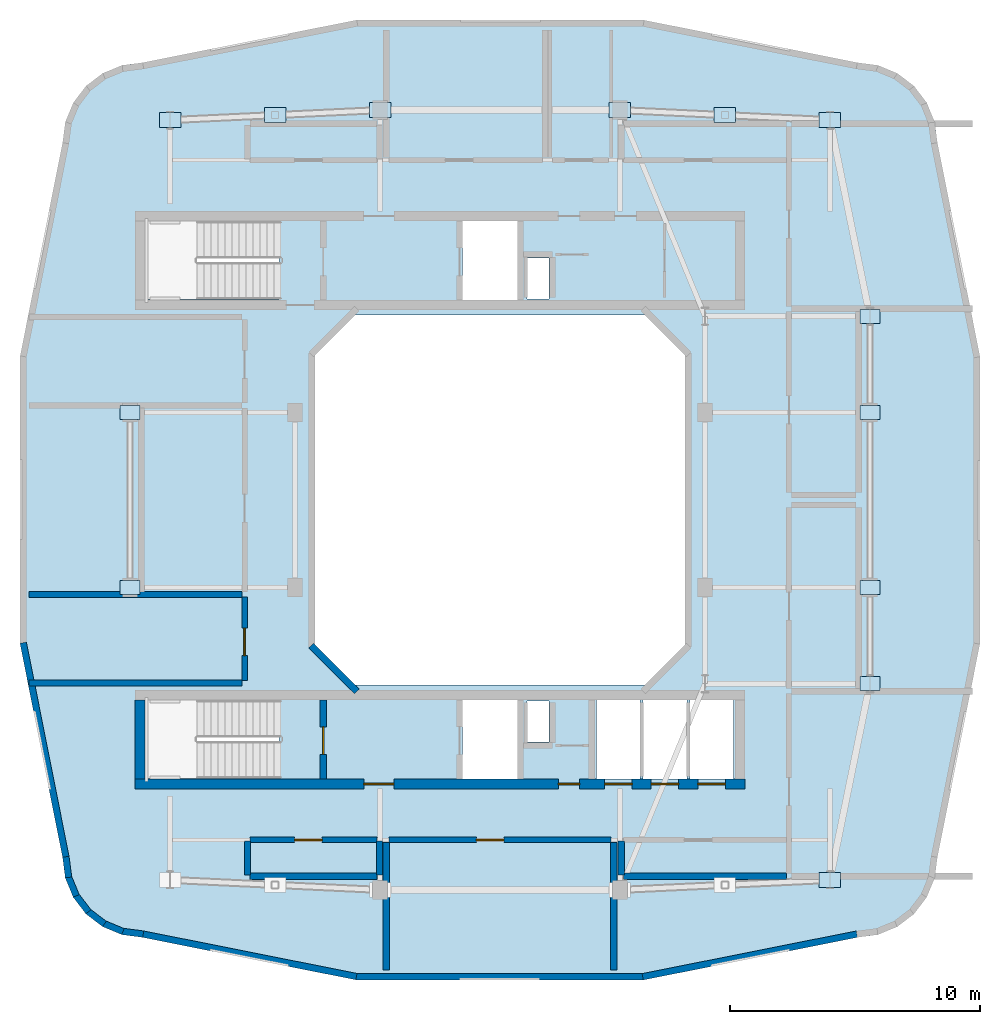
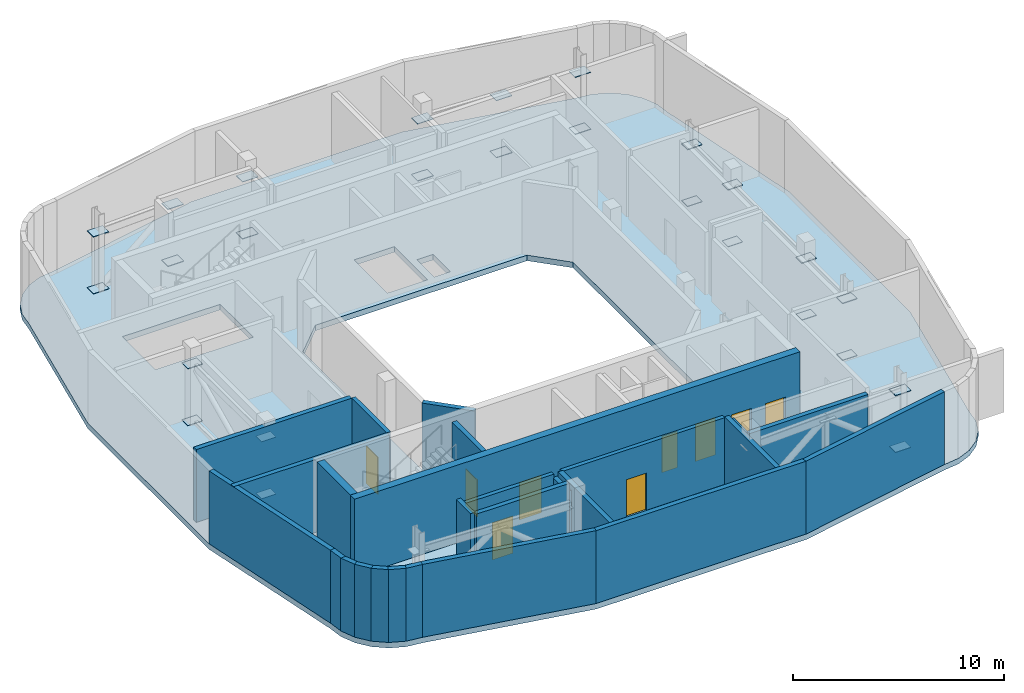
# One storey, part 3 of 9: 26 plates, 26 walls, 9 doors, 1 slab, 9 openings.
"""IFC4 building model written with IfcOpenShell, lengths in metres."""

from ifc_helpers import new_model, si_unit, derived_unit, direction, frame, frame_2d, origin, origin_2d, place, context, subcontext, project, spatial, polyline, rectangle, outline, extrude, material, layer, layer_set, type_object, element, fill, save


model = new_model("IFC4")

# Units and contexts
model_context = context("Model", 3, precision=1e-05, world=origin(), true_north=direction((0.0, 1.0)))
body_context = subcontext(model_context, "Body", "Model", "MODEL_VIEW")
ifc_project = project(units=[si_unit("LENGTHUNIT", "METRE"), si_unit("AREAUNIT", "SQUARE_METRE"), si_unit("VOLUMEUNIT", "CUBIC_METRE"), si_unit("PLANEANGLEUNIT", "RADIAN"), si_unit("MASSUNIT", "GRAM", prefix="KILO"), derived_unit("THERMALTRANSMITTANCEUNIT", [(si_unit("POWERUNIT", "WATT"), 1), (si_unit("LENGTHUNIT", "METRE"), -2), (si_unit("THERMODYNAMICTEMPERATUREUNIT", "KELVIN"), -1)])], contexts=[model_context])

# Site, building, storey
site_placement = place(None, origin())
site = spatial("IfcSite", under=ifc_project, at=site_placement, CompositionType="ELEMENT")
building_placement = place(site_placement, origin())
building = spatial("IfcBuilding", under=site, at=building_placement, Name="Kivonza Crest Hotel", CompositionType="ELEMENT")
storey_placement = place(building_placement, frame((0.0, 0.0, 238.699951171875)))
storey = spatial("IfcBuildingStorey", under=building, at=storey_placement, Name="L65", CompositionType="ELEMENT", Elevation=238.699951171875)

# Plates
ifc_material_1 = material(Name="Steel S355", Category="steel")
ifc_layer_1 = layer(ifc_material_1, 0.031982421875)
ifc_layer_set_1 = layer_set([ifc_layer_1], Name="Steel S355")
plate_type_1 = type_object("IfcPlateType", Name="PL-NODE-BT1", PredefinedType="SHEET", material=ifc_layer_set_1)
for number, where, z_axis, x_axis, name in (
    (1, (6.199951171875, 21.5, -0.01611328125), (0.0, 0.0, 1.0), (1.0, 0.0, 0.0), "ND-BT1 node gusset and end-cap plate L65 129"),
    (2, (6.199951171875, 28.5, -0.01611328125), (0.0, 0.0, 1.0), (1.0, 0.0, 0.0), "ND-BT1 node gusset and end-cap plate L65 130"),
    (3, (6.199951171875, 21.5, 3.2841796875), (0.0, 0.0, 1.0), (1.0, 0.0, 0.0), "ND-BT1 node gusset and end-cap plate L65 131"),
    (4, (6.199951171875, 28.5, 3.2841796875), (0.0, 0.0, 1.0), (1.0, 0.0, 0.0), "ND-BT1 node gusset and end-cap plate L65 132"),
    (5, (35.800048828125, 17.64990234375, -0.01611328125), (0.0, 0.0, 1.0), (1.0, 0.0, 0.0), "ND-BT1 node gusset and end-cap plate L65 133"),
    (6, (35.800048828125, 21.5, -0.01611328125), (0.0, 0.0, 1.0), (1.0, 0.0, 0.0), "ND-BT1 node gusset and end-cap plate L65 134"),
    (7, (35.800048828125, 17.64990234375, 3.2841796875), (0.0, 0.0, 1.0), (1.0, 0.0, 0.0), "ND-BT1 node gusset and end-cap plate L65 135"),
    (8, (35.800048828125, 21.5, 3.2841796875), (0.0, 0.0, 1.0), (1.0, 0.0, 0.0), "ND-BT1 node gusset and end-cap plate L65 136"),
    (9, (35.800048828125, 28.5, -0.01611328125), (0.0, 0.0, 1.0), (1.0, 0.0, 0.0), "ND-BT1 node gusset and end-cap plate L65 137"),
    (10, (35.800048828125, 28.5, 3.2841796875), (0.0, 0.0, 1.0), (1.0, 0.0, 0.0), "ND-BT1 node gusset and end-cap plate L65 138"),
    (11, (35.800048828125, 32.35009765625, -0.01611328125), (0.0, 0.0, 1.0), (1.0, 0.0, 0.0), "ND-BT1 node gusset and end-cap plate L65 139"),
    (12, (35.800048828125, 32.35009765625, 3.2841796875), (0.0, 0.0, 1.0), (1.0, 0.0, 0.0), "ND-BT1 node gusset and end-cap plate L65 140"),
):
    element("IfcPlate", number, at=place(storey_placement, frame(where, z_axis=z_axis, x_axis=x_axis)), inside=storey, type_object=plate_type_1, Name=name, PredefinedType="SHEET", context=body_context, shape_type="SweptSolid", body=[
        extrude(rectangle(XDim=0.800048828125, YDim=0.56005859375, at=origin_2d()), origin(), (0.0, 0.0, 1.0), 0.031982421875),
    ])
ifc_layer_2 = layer(ifc_material_1, 0.035888671875)
ifc_layer_set_2 = layer_set([ifc_layer_2], Name="Steel S355")
plate_type_2 = type_object("IfcPlateType", Name="PL-NODE-OT1", PredefinedType="SHEET", material=ifc_layer_set_2)
for number, where, z_axis, x_axis, name in (
    (13, (12.0, 40.39990234375, -0.01806640625), (0.0, 0.0, 1.0), (1.0, 0.0, 0.0), "ND-OT1 node gusset and end-cap plate L65 105"),
    (14, (12.0, 40.39990234375, 3.2822265625), (0.0, 0.0, 1.0), (1.0, 0.0, 0.0), "ND-OT1 node gusset and end-cap plate L65 106"),
    (15, (16.199951171875, 40.60009765625, -0.01806640625), (0.0, 0.0, 1.0), (1.0, 0.0, 0.0), "ND-OT1 node gusset and end-cap plate L65 107"),
    (16, (16.199951171875, 40.60009765625, 3.2822265625), (0.0, 0.0, 1.0), (1.0, 0.0, 0.0), "ND-OT1 node gusset and end-cap plate L65 108"),
    (17, (7.800048828125, 40.199951171875, -0.01806640625), (0.0, 0.0, 1.0), (1.0, 0.0, 0.0), "ND-OT1 node gusset and end-cap plate L65 109"),
    (18, (7.800048828125, 40.199951171875, 3.2822265625), (0.0, 0.0, 1.0), (1.0, 0.0, 0.0), "ND-OT1 node gusset and end-cap plate L65 110"),
    (19, (30.0, 40.39990234375, -0.01806640625), (0.0, 0.0, 1.0), (1.0, 0.0, 0.0), "ND-OT1 node gusset and end-cap plate L65 111"),
    (20, (30.0, 40.39990234375, 3.2822265625), (0.0, 0.0, 1.0), (1.0, 0.0, 0.0), "ND-OT1 node gusset and end-cap plate L65 112"),
    (21, (25.800048828125, 40.60009765625, -0.01806640625), (0.0, 0.0, 1.0), (1.0, 0.0, 0.0), "ND-OT1 node gusset and end-cap plate L65 113"),
    (22, (25.800048828125, 40.60009765625, 3.2822265625), (0.0, 0.0, 1.0), (1.0, 0.0, 0.0), "ND-OT1 node gusset and end-cap plate L65 114"),
    (23, (34.199951171875, 40.199951171875, -0.01806640625), (0.0, 0.0, 1.0), (1.0, 0.0, 0.0), "ND-OT1 node gusset and end-cap plate L65 115"),
    (24, (34.199951171875, 40.199951171875, 3.2822265625), (0.0, 0.0, 1.0), (1.0, 0.0, 0.0), "ND-OT1 node gusset and end-cap plate L65 116"),
    (25, (34.199951171875, 9.800048828125, -0.01806640625), (0.0, 0.0, 1.0), (1.0, 0.0, 0.0), "ND-OT1 node gusset and end-cap plate L65 127"),
    (26, (34.199951171875, 9.800048828125, 3.2822265625), (0.0, 0.0, 1.0), (1.0, 0.0, 0.0), "ND-OT1 node gusset and end-cap plate L65 128"),
):
    element("IfcPlate", number, at=place(storey_placement, frame(where, z_axis=z_axis, x_axis=x_axis)), inside=storey, type_object=plate_type_2, Name=name, PredefinedType="SHEET", context=body_context, shape_type="SweptSolid", body=[
        extrude(rectangle(XDim=0.860107421875, YDim=0.60009765625, at=origin_2d()), origin(), (0.0, 0.0, 1.0), 0.035888671875),
    ])

# Slab
ifc_material_2 = material(Name="Concrete C40/50", Category="concrete")
ifc_layer_3 = layer(ifc_material_2, 0.320068359375)
ifc_layer_set_3 = layer_set([ifc_layer_3], Name="Concrete C40/50")
slab_type = type_object("IfcSlabType", Name="SL-REF-320", PredefinedType="FLOOR", material=ifc_layer_set_3)
slab_placement = place(storey_placement, frame((0.0, 0.0, -0.320068359375)))
element("IfcSlab", 27, at=slab_placement, inside=storey, type_object=slab_type, Name="Tower T1 L65 floor slab", PredefinedType="FLOOR", context=body_context, shape_type="SweptSolid", body=[
    extrude(outline(polyline([(3.5, 10.699951171875), (3.60888671875, 9.8720703125), (3.928955078125, 9.10009765625), (4.43701171875, 8.43701171875), (5.10009765625, 7.928955078125), (5.8720703125, 7.60888671875), (6.699951171875, 7.5), (15.239990234375, 5.800048828125), (26.760009765625, 5.800048828125), (35.300048828125, 7.5), (36.1279296875, 7.60888671875), (36.89990234375, 7.928955078125), (37.56298828125, 8.43701171875), (38.071044921875, 9.10009765625), (38.39111328125, 9.8720703125), (38.5, 10.699951171875), (40.199951171875, 19.239990234375), (40.199951171875, 30.760009765625), (38.5, 39.300048828125), (38.39111328125, 40.1279296875), (38.071044921875, 40.89990234375), (37.56298828125, 41.56298828125), (36.89990234375, 42.071044921875), (36.1279296875, 42.39111328125), (35.300048828125, 42.5), (26.760009765625, 44.199951171875), (15.239990234375, 44.199951171875), (6.699951171875, 42.5), (5.8720703125, 42.39111328125), (5.10009765625, 42.071044921875), (4.43701171875, 41.56298828125), (3.928955078125, 40.89990234375), (3.60888671875, 40.1279296875), (3.5, 39.300048828125), (1.800048828125, 30.760009765625), (1.800048828125, 19.239990234375), (3.5, 10.699951171875)]), holes=[polyline([(15.199951171875, 17.60009765625), (26.800048828125, 17.60009765625), (28.39990234375, 19.199951171875), (28.39990234375, 30.800048828125), (26.800048828125, 32.39990234375), (15.199951171875, 32.39990234375), (13.60009765625, 30.800048828125), (13.60009765625, 19.199951171875), (15.199951171875, 17.60009765625)]), polyline([(6.800048828125, 33.02001953125), (12.159912109375, 33.02001953125), (12.159912109375, 36.159912109375), (6.800048828125, 36.159912109375), (6.800048828125, 33.02001953125)]), polyline([(6.800048828125, 13.860107421875), (12.159912109375, 13.860107421875), (12.159912109375, 17.0), (6.800048828125, 17.0), (6.800048828125, 13.860107421875)]), polyline([(22.080078125, 33.0400390625), (22.969970703125, 33.0400390625), (22.969970703125, 34.679931640625), (22.080078125, 34.679931640625), (22.080078125, 33.0400390625)]), polyline([(22.080078125, 15.320068359375), (22.969970703125, 15.320068359375), (22.969970703125, 16.9599609375), (22.080078125, 16.9599609375), (22.080078125, 15.320068359375)]), polyline([(19.5, 33.0), (21.699951171875, 33.0), (21.699951171875, 36.159912109375), (19.5, 36.159912109375), (19.5, 33.0)]), polyline([(19.5, 13.840087890625), (21.699951171875, 13.840087890625), (21.699951171875, 17.0), (19.5, 17.0), (19.5, 13.840087890625)]), polyline([(24.860107421875, 13.840087890625), (26.60693359375, 13.840087890625), (26.60693359375, 17.0), (24.860107421875, 17.0), (24.860107421875, 13.840087890625)]), polyline([(26.72705078125, 13.840087890625), (28.472900390625, 13.840087890625), (28.472900390625, 17.0), (26.72705078125, 17.0), (26.72705078125, 13.840087890625)]), polyline([(28.593017578125, 13.840087890625), (30.340087890625, 13.840087890625), (30.340087890625, 17.0), (28.593017578125, 17.0), (28.593017578125, 13.840087890625)])]), origin(), (0.0, 0.0, 1.0), 0.320068359375),
])

# Wall, opening, door
ifc_material_3 = material(Name="Autoclaved aerated concrete blockwork", Category="masonry")
ifc_layer_4 = layer(ifc_material_3, 0.219970703125)
ifc_layer_set_4 = layer_set([ifc_layer_4], Name="Autoclaved aerated concrete blockwork")
wall_type_1 = type_object("IfcWallType", Name="WL-ACOU-220", PredefinedType="SOLIDWALL", material=ifc_layer_set_4)
wall_1_placement = place(storey_placement, frame((16.550048828125, 11.39990234375, 0.0), z_axis=(0.0, 0.0, 1.0), x_axis=(1.0, 0.0, 0.0)))
wall_1 = element("IfcWall", 28, at=wall_1_placement, inside=storey, type_object=wall_type_1, Name="L65 interior partition WA-L65-REF-S-N", PredefinedType="SOLIDWALL", context=body_context, shape_type="SweptSolid", body=[
    extrude(rectangle(XDim=8.89990234375, YDim=0.219970703125, at=frame_2d((4.449951171875, 0.0))), origin(), (0.0, 0.0, 1.0), 3.864990234375),
])
opening_1_placement = place(wall_1_placement, frame((3.5, 0.0, 0.0)))
opening_1 = element("IfcOpeningElement", 29, at=opening_1_placement, cuts=wall_1, Name="Opening DF-120", PredefinedType="OPENING", context=body_context, shape_type="SweptSolid", body=[
    extrude(rectangle(XDim=1.10009765625, YDim=2.14990234375, at=frame_2d((0.550048828125, 1.074951171875))), frame((0.0, 0.1201171875, 0.0), z_axis=(0.0, -1.0, 0.0), x_axis=(1.0, 0.0, 0.0)), (0.0, 0.0, 1.0), 0.239990234375),
])
ifc_material_4 = material(Name="Galvanised steel", Category="steel")
door_type_1 = type_object("IfcDoorType", Name="DR-FD120-1100", OperationType="NOTDEFINED", PredefinedType="DOOR", material=ifc_material_4)
door_1_placement = place(opening_1_placement, frame((1.10009765625, 0.0, 0.0), z_axis=(0.0, 0.0, 1.0), x_axis=(-1.0, 0.0, 0.0)))
door_1 = element("IfcDoor", 30, at=door_1_placement, inside=storey, type_object=door_type_1, Name="L65 South Protected Refuge Area door", OperationType="SINGLE_SWING_LEFT", OverallHeight=2.14990234375, OverallWidth=1.10009765625, PredefinedType="DOOR", context=body_context, shape_type="SweptSolid", body=[
    extrude(rectangle(XDim=1.10009765625, YDim=2.14990234375, at=frame_2d((0.550048828125, 1.074951171875))), frame((0.0, 0.02490234375, 0.0), z_axis=(0.0, -1.0, 0.0), x_axis=(1.0, 0.0, 0.0)), (0.0, 0.0, 1.0), 0.050048828125),
])
fill(opening_1, door_1)

wall_2_placement = place(storey_placement, frame((10.780029296875, 17.780029296875, 0.0), z_axis=(0.0, 0.0, 1.0), x_axis=(0.0, 1.0, 0.0)))
wall_2 = element("IfcWall", 31, at=wall_2_placement, inside=storey, type_object=wall_type_1, Name="L65 interior partition WA-L65-PL-TNK-E", PredefinedType="SOLIDWALL", context=body_context, shape_type="SweptSolid", body=[
    extrude(rectangle(XDim=3.340087890625, YDim=0.219970703125, at=frame_2d((1.669921875, 0.0))), origin(), (0.0, 0.0, 1.0), 4.219970703125),
])
opening_2_placement = place(wall_2_placement, frame((0.998046875, 0.0, 0.0)))
opening_2 = element("IfcOpeningElement", 32, at=opening_2_placement, cuts=wall_2, Name="Opening DF-120", PredefinedType="OPENING", context=body_context, shape_type="SweptSolid", body=[
    extrude(rectangle(XDim=1.10009765625, YDim=2.14990234375, at=frame_2d((0.550048828125, 1.074951171875))), frame((0.0, 0.1201171875, 0.0), z_axis=(0.0, -1.0, 0.0), x_axis=(1.0, 0.0, 0.0)), (0.0, 0.0, 1.0), 0.239990234375),
])
door_2_placement = place(opening_2_placement, origin())
door_2 = element("IfcDoor", 33, at=door_2_placement, inside=storey, type_object=door_type_1, Name="L65 Fire Break Tank and Booster Pump Room door", OperationType="SINGLE_SWING_RIGHT", OverallHeight=2.14990234375, OverallWidth=1.10009765625, PredefinedType="DOOR", context=body_context, shape_type="SweptSolid", body=[
    extrude(rectangle(XDim=1.10009765625, YDim=2.14990234375, at=frame_2d((0.550048828125, 1.074951171875))), frame((0.0, 0.02490234375, 0.0), z_axis=(0.0, -1.0, 0.0), x_axis=(1.0, 0.0, 0.0)), (0.0, 0.0, 1.0), 0.050048828125),
])
fill(opening_2, door_2)

wall_3_placement = place(storey_placement, frame((11.0, 11.39990234375, 0.0), z_axis=(0.0, 0.0, 1.0), x_axis=(1.0, 0.0, 0.0)))
wall_3 = element("IfcWall", 34, at=wall_3_placement, inside=storey, type_object=wall_type_1, Name="L65 interior partition WA-L65-PL-MSW-N", PredefinedType="SOLIDWALL", context=body_context, shape_type="SweptSolid", body=[
    extrude(rectangle(XDim=5.080078125, YDim=0.219970703125, at=frame_2d((2.5400390625, 0.0))), origin(), (0.0, 0.0, 1.0), 3.864990234375),
])
opening_3_placement = place(wall_3_placement, frame((1.781005859375, 0.0, 0.0)))
opening_3 = element("IfcOpeningElement", 35, at=opening_3_placement, cuts=wall_3, Name="Opening DF-120", PredefinedType="OPENING", context=body_context, shape_type="SweptSolid", body=[
    extrude(rectangle(XDim=1.10009765625, YDim=2.14990234375, at=frame_2d((0.550048828125, 1.074951171875))), frame((0.0, 0.1201171875, 0.0), z_axis=(0.0, -1.0, 0.0), x_axis=(1.0, 0.0, 0.0)), (0.0, 0.0, 1.0), 0.239990234375),
])
door_3_placement = place(opening_3_placement, frame((1.10009765625, 0.0, 0.0), z_axis=(0.0, 0.0, 1.0), x_axis=(-1.0, 0.0, 0.0)))
door_3 = element("IfcDoor", 36, at=door_3_placement, inside=storey, type_object=door_type_1, Name="L65 South-West Booster Plant Room door", OperationType="SINGLE_SWING_LEFT", OverallHeight=2.14990234375, OverallWidth=1.10009765625, PredefinedType="DOOR", context=body_context, shape_type="SweptSolid", body=[
    extrude(rectangle(XDim=1.10009765625, YDim=2.14990234375, at=frame_2d((0.550048828125, 1.074951171875))), frame((0.0, 0.02490234375, 0.0), z_axis=(0.0, -1.0, 0.0), x_axis=(1.0, 0.0, 0.0)), (0.0, 0.0, 1.0), 0.050048828125),
])
fill(opening_3, door_3)

# Wall, openings, doors
ifc_material_5 = material(Name="Concrete C50/60", Category="concrete")
ifc_layer_5 = layer(ifc_material_5, 0.39990234375)
ifc_layer_set_5 = layer_set([ifc_layer_5], Name="Concrete C50/60")
wall_type_2 = type_object("IfcWallType", Name="WL-CORE-400", PredefinedType="SHEAR", material=ifc_layer_set_5)
wall_4_placement = place(storey_placement, frame((6.39990234375, 13.639892578125, 0.0), z_axis=(0.0, 0.0, 1.0), x_axis=(1.0, 0.0, 0.0)))
wall_4 = element("IfcWall", 37, at=wall_4_placement, inside=storey, type_object=wall_type_2, Name="Core wall T1-S South L65", PredefinedType="SHEAR", context=body_context, shape_type="SweptSolid", body=[
    extrude(rectangle(XDim=24.400146484375, YDim=0.39990234375, at=frame_2d((12.2001953125, 0.0))), origin(), (0.0, 0.0, 1.0), 4.5),
])
opening_4_placement = place(wall_4_placement, frame((9.14990234375, 0.0, 0.0)))
opening_4 = element("IfcOpeningElement", 38, at=opening_4_placement, cuts=wall_4, Name="Opening DF-60", PredefinedType="OPENING", context=body_context, shape_type="SweptSolid", body=[
    extrude(rectangle(XDim=1.199951171875, YDim=2.14990234375, at=frame_2d((0.60009765625, 1.074951171875))), frame((0.0, 0.2099609375, 0.0), z_axis=(0.0, -1.0, 0.0), x_axis=(1.0, 0.0, 0.0)), (0.0, 0.0, 1.0), 0.419921875),
])
opening_5_placement = place(wall_4_placement, frame((16.93994140625, 0.0, 0.0)))
opening_5 = element("IfcOpeningElement", 39, at=opening_5_placement, cuts=wall_4, Name="Opening DF-60R", PredefinedType="OPENING", context=body_context, shape_type="SweptSolid", body=[
    extrude(rectangle(XDim=0.85009765625, YDim=2.10009765625, at=frame_2d((0.425048828125, 1.050048828125))), frame((0.0, 0.2099609375, 0.0), z_axis=(0.0, -1.0, 0.0), x_axis=(1.0, 0.0, 0.0)), (0.0, 0.0, 1.0), 0.419921875),
])
opening_6_placement = place(wall_4_placement, frame((18.782958984375, 0.0, 0.0)))
opening_6 = element("IfcOpeningElement", 40, at=opening_6_placement, cuts=wall_4, Name="Opening LD-120", PredefinedType="OPENING", context=body_context, shape_type="SweptSolid", body=[
    extrude(rectangle(XDim=1.10009765625, YDim=2.14990234375, at=frame_2d((0.550048828125, 1.074951171875))), frame((0.0, 0.2099609375, 0.0), z_axis=(0.0, -1.0, 0.0), x_axis=(1.0, 0.0, 0.0)), (0.0, 0.0, 1.0), 0.419921875),
])
opening_7_placement = place(wall_4_placement, frame((20.64990234375, 0.0, 0.0)))
opening_7 = element("IfcOpeningElement", 41, at=opening_7_placement, cuts=wall_4, Name="Opening LD-120", PredefinedType="OPENING", context=body_context, shape_type="SweptSolid", body=[
    extrude(rectangle(XDim=1.10009765625, YDim=2.14990234375, at=frame_2d((0.550048828125, 1.074951171875))), frame((0.0, 0.2099609375, 0.0), z_axis=(0.0, -1.0, 0.0), x_axis=(1.0, 0.0, 0.0)), (0.0, 0.0, 1.0), 0.419921875),
])
opening_8_placement = place(wall_4_placement, frame((22.51708984375, 0.0, 0.0)))
opening_8 = element("IfcOpeningElement", 42, at=opening_8_placement, cuts=wall_4, Name="Opening LD-120", PredefinedType="OPENING", context=body_context, shape_type="SweptSolid", body=[
    extrude(rectangle(XDim=1.10009765625, YDim=2.14990234375, at=frame_2d((0.550048828125, 1.074951171875))), frame((0.0, 0.2099609375, 0.0), z_axis=(0.0, -1.0, 0.0), x_axis=(1.0, 0.0, 0.0)), (0.0, 0.0, 1.0), 0.419921875),
])
ifc_material_6 = material(Name="Hardwood timber oak", Category="wood")
door_type_2 = type_object("IfcDoorType", Name="DR-FD60-1200", OperationType="NOTDEFINED", PredefinedType="DOOR", material=ifc_material_6)
door_4_placement = place(opening_4_placement, frame((1.199951171875, 0.0, 0.0), z_axis=(0.0, 0.0, 1.0), x_axis=(-1.0, 0.0, 0.0)))
door_4 = element("IfcDoor", 43, at=door_4_placement, inside=storey, type_object=door_type_2, Name="L65 T1-S firefighting lobby fire door", OperationType="SINGLE_SWING_LEFT", OverallHeight=2.14990234375, OverallWidth=1.199951171875, PredefinedType="DOOR", context=body_context, shape_type="SweptSolid", body=[
    extrude(rectangle(XDim=1.199951171875, YDim=2.14990234375, at=frame_2d((0.60009765625, 1.074951171875))), frame((0.0, 0.02490234375, 0.0), z_axis=(0.0, -1.0, 0.0), x_axis=(1.0, 0.0, 0.0)), (0.0, 0.0, 1.0), 0.050048828125),
])
fill(opening_4, door_4)
door_type_3 = type_object("IfcDoorType", Name="DR-FD60-850", OperationType="NOTDEFINED", PredefinedType="DOOR", material=ifc_material_6)
door_5_placement = place(opening_5_placement, frame((0.85009765625, 0.0, 0.0), z_axis=(0.0, 0.0, 1.0), x_axis=(-1.0, 0.0, 0.0)))
door_5 = element("IfcDoor", 44, at=door_5_placement, inside=storey, type_object=door_type_3, Name="L65 T1-S core room door", OperationType="SINGLE_SWING_RIGHT", OverallHeight=2.10009765625, OverallWidth=0.85009765625, PredefinedType="DOOR", context=body_context, shape_type="SweptSolid", body=[
    extrude(rectangle(XDim=0.85009765625, YDim=2.10009765625, at=frame_2d((0.425048828125, 1.050048828125))), frame((0.0, 0.02490234375, 0.0), z_axis=(0.0, -1.0, 0.0), x_axis=(1.0, 0.0, 0.0)), (0.0, 0.0, 1.0), 0.050048828125),
])
fill(opening_5, door_5)
ifc_material_7 = material(Name="Stainless steel", Category="steel")
door_type_4 = type_object("IfcDoorType", Name="DR-LD120-1100", OperationType="NOTDEFINED", PredefinedType="DOOR", material=ifc_material_7)
door_6_placement = place(opening_6_placement, frame((1.10009765625, 0.0, 0.0), z_axis=(0.0, 0.0, 1.0), x_axis=(-1.0, 0.0, 0.0)))
door_6 = element("IfcDoor", 45, at=door_6_placement, inside=storey, type_object=door_type_4, Name="L65 PL-T1-H1 passenger lift sliding landing door", OperationType="DOUBLE_DOOR_SLIDING", OverallHeight=2.14990234375, OverallWidth=1.10009765625, PredefinedType="DOOR", context=body_context, shape_type="SweptSolid", body=[
    extrude(rectangle(XDim=1.10009765625, YDim=2.14990234375, at=frame_2d((0.550048828125, 1.074951171875))), frame((0.0, 0.02490234375, 0.0), z_axis=(0.0, -1.0, 0.0), x_axis=(1.0, 0.0, 0.0)), (0.0, 0.0, 1.0), 0.050048828125),
])
fill(opening_6, door_6)
door_7_placement = place(opening_7_placement, frame((1.10009765625, 0.0, 0.0), z_axis=(0.0, 0.0, 1.0), x_axis=(-1.0, 0.0, 0.0)))
door_7 = element("IfcDoor", 46, at=door_7_placement, inside=storey, type_object=door_type_4, Name="L65 PL-T1-H2 passenger lift sliding landing door", OperationType="DOUBLE_DOOR_SLIDING", OverallHeight=2.14990234375, OverallWidth=1.10009765625, PredefinedType="DOOR", context=body_context, shape_type="SweptSolid", body=[
    extrude(rectangle(XDim=1.10009765625, YDim=2.14990234375, at=frame_2d((0.550048828125, 1.074951171875))), frame((0.0, 0.02490234375, 0.0), z_axis=(0.0, -1.0, 0.0), x_axis=(1.0, 0.0, 0.0)), (0.0, 0.0, 1.0), 0.050048828125),
])
fill(opening_7, door_7)
door_8_placement = place(opening_8_placement, frame((1.10009765625, 0.0, 0.0), z_axis=(0.0, 0.0, 1.0), x_axis=(-1.0, 0.0, 0.0)))
door_8 = element("IfcDoor", 47, at=door_8_placement, inside=storey, type_object=door_type_4, Name="L65 PL-T1-H3 passenger lift sliding landing door", OperationType="DOUBLE_DOOR_SLIDING", OverallHeight=2.14990234375, OverallWidth=1.10009765625, PredefinedType="DOOR", context=body_context, shape_type="SweptSolid", body=[
    extrude(rectangle(XDim=1.10009765625, YDim=2.14990234375, at=frame_2d((0.550048828125, 1.074951171875))), frame((0.0, 0.02490234375, 0.0), z_axis=(0.0, -1.0, 0.0), x_axis=(1.0, 0.0, 0.0)), (0.0, 0.0, 1.0), 0.050048828125),
])
fill(opening_8, door_8)

# Walls
wall_5_placement = place(storey_placement, frame((6.60009765625, 13.840087890625, 0.0), z_axis=(0.0, 0.0, 1.0), x_axis=(0.0, 1.0, 0.0)))
element("IfcWall", 48, at=wall_5_placement, inside=storey, type_object=wall_type_2, Name="Core wall T1-S West L65", PredefinedType="SHEAR", context=body_context, shape_type="SweptSolid", body=[
    extrude(rectangle(XDim=3.159912109375, YDim=0.39990234375, at=frame_2d((1.580078125, 0.0))), origin(), (0.0, 0.0, 1.0), 4.5),
])
ifc_material_8 = material(Name="Precast concrete C40/50", Category="concrete")
ifc_layer_6 = layer(ifc_material_8, 0.260009765625)
ifc_layer_set_6 = layer_set([ifc_layer_6], Name="Precast concrete C40/50")
wall_type_3 = type_object("IfcWallType", Name="WL-EXT-260", PredefinedType="STANDARD", material=ifc_layer_set_6)
wall_6_placement = place(storey_placement, frame((3.6279296875, 10.72509765625, 0.0), z_axis=(0.0, 0.0, 1.0), x_axis=(0.130954667764, -0.9913883573, 0.0)))
element("IfcWall", 49, at=wall_6_placement, inside=storey, type_object=wall_type_3, Name="L65 T1 exterior insulated wall 1", PredefinedType="STANDARD", context=body_context, shape_type="SweptSolid", body=[
    extrude(rectangle(XDim=0.833251953125, YDim=0.260009765625, at=frame_2d((0.41650390625, 0.0))), origin(), (0.0, 0.0, 1.0), 4.219970703125),
])
wall_7_placement = place(storey_placement, frame((3.718994140625, 9.945068359375, 0.0), z_axis=(0.0, 0.0, 1.0), x_axis=(0.382985169477, -0.923754491172, 0.0)))
element("IfcWall", 50, at=wall_7_placement, inside=storey, type_object=wall_type_3, Name="L65 T1 exterior insulated wall 2", PredefinedType="STANDARD", context=body_context, shape_type="SweptSolid", body=[
    extrude(rectangle(XDim=0.85107421875, YDim=0.260009765625, at=frame_2d((0.425537109375, 0.0))), origin(), (0.0, 0.0, 1.0), 4.219970703125),
])
for number, where, z_axis, x_axis, name in (
    (51, (4.01708984375, 9.198974609375, 0.0), (0.0, 0.0, 1.0), (0.607918988881, -0.793999057278, 0.0), "L65 T1 exterior insulated wall 3"),
    (52, (4.49609375, 8.554931640625, 0.0), (0.0, 0.0, 1.0), (0.793892896323, -0.608057619941, 0.0), "L65 T1 exterior insulated wall 4"),
):
    element("IfcWall", number, at=place(storey_placement, frame(where, z_axis=z_axis, x_axis=x_axis)), inside=storey, type_object=wall_type_3, Name=name, PredefinedType="STANDARD", context=body_context, shape_type="SweptSolid", body=[
        extrude(rectangle(XDim=0.85009765625, YDim=0.260009765625, at=frame_2d((0.425048828125, 0.0))), origin(), (0.0, 0.0, 1.0), 4.219970703125),
    ])
wall_8_placement = place(storey_placement, frame((5.126953125, 8.05908203125, 0.0), z_axis=(0.0, 0.0, 1.0), x_axis=(0.923652976167, -0.383229930484, 0.0)))
element("IfcWall", 53, at=wall_8_placement, inside=storey, type_object=wall_type_3, Name="L65 T1 exterior insulated wall 5", PredefinedType="STANDARD", context=body_context, shape_type="SweptSolid", body=[
    extrude(rectangle(XDim=0.85107421875, YDim=0.260009765625, at=frame_2d((0.425537109375, 0.0))), origin(), (0.0, 0.0, 1.0), 4.219970703125),
])
wall_9_placement = place(storey_placement, frame((5.864013671875, 7.740966796875, 0.0), z_axis=(0.0, 0.0, 1.0), x_axis=(0.991493480548, -0.130156359936, 0.0)))
element("IfcWall", 54, at=wall_9_placement, inside=storey, type_object=wall_type_3, Name="L65 T1 exterior insulated wall 6", PredefinedType="STANDARD", context=body_context, shape_type="SweptSolid", body=[
    extrude(rectangle(XDim=0.868408203125, YDim=0.260009765625, at=frame_2d((0.43408203125, 0.0))), origin(), (0.0, 0.0, 1.0), 4.219970703125),
])
wall_10_placement = place(storey_placement, frame((6.717041015625, 7.62890625, 0.0), z_axis=(0.0, 0.0, 1.0), x_axis=(0.980748582507, -0.1952747242, 0.0)))
element("IfcWall", 55, at=wall_10_placement, inside=storey, type_object=wall_type_3, Name="L65 T1 exterior insulated wall 7", PredefinedType="STANDARD", context=body_context, shape_type="SweptSolid", body=[
    extrude(rectangle(XDim=8.705322265625, YDim=0.260009765625, at=frame_2d((4.3525390625, 0.0))), origin(), (0.0, 0.0, 1.0), 4.219970703125),
])
wall_11_placement = place(storey_placement, frame((15.215087890625, 5.929931640625, 0.0), z_axis=(0.0, 0.0, 1.0), x_axis=(1.0, 0.0, 0.0)))
element("IfcWall", 56, at=wall_11_placement, inside=storey, type_object=wall_type_3, Name="L65 T1 exterior insulated wall 8", PredefinedType="STANDARD", context=body_context, shape_type="SweptSolid", body=[
    extrude(rectangle(XDim=11.534912109375, YDim=0.260009765625, at=frame_2d((5.767578125, 0.0))), origin(), (0.0, 0.0, 1.0), 4.219970703125),
])
for number, where, z_axis, x_axis, name in (
    (57, (26.7099609375, 5.922119140625, 0.0), (0.0, 0.0, 1.0), (0.980752174324, 0.195256683773, 0.0), "L65 T1 exterior insulated wall 9"),
    (58, (1.922119140625, 19.2900390625, 0.0), (0.0, 0.0, 1.0), (0.195256683773, -0.980752174324, 0.0), "L65 T1 exterior insulated wall 36"),
):
    element("IfcWall", number, at=place(storey_placement, frame(where, z_axis=z_axis, x_axis=x_axis)), inside=storey, type_object=wall_type_3, Name=name, PredefinedType="STANDARD", context=body_context, shape_type="SweptSolid", body=[
        extrude(rectangle(XDim=8.7412109375, YDim=0.260009765625, at=frame_2d((4.37060546875, 0.0))), origin(), (0.0, 0.0, 1.0), 4.219970703125),
    ])
wall_12_placement = place(storey_placement, frame((13.444091796875, 19.172119140625, 0.0), z_axis=(0.0, 0.0, 1.0), x_axis=(0.707059717605, -0.707153841636, 0.0)))
element("IfcWall", 59, at=wall_12_placement, inside=storey, type_object=wall_type_3, Name="L65 T1 light-well exterior wall 8", PredefinedType="STANDARD", context=body_context, shape_type="SweptSolid", body=[
    extrude(rectangle(XDim=2.59375, YDim=0.260009765625, at=frame_2d((1.296875, 0.0))), origin(), (0.0, 0.0, 1.0), 4.219970703125),
])
ifc_material_9 = material(Name="Concrete blockwork fire-compartment wall", Category="masonry")
ifc_layer_7 = layer(ifc_material_9, 0.25)
ifc_layer_set_7 = layer_set([ifc_layer_7], Name="Concrete blockwork fire-compartment wall")
wall_type_4 = type_object("IfcWallType", Name="WL-FIRE-250", PredefinedType="SOLIDWALL", material=ifc_layer_set_7)
for number, where, z_axis, x_axis, name in (
    (60, (16.449951171875, 6.199951171875, 0.0), (0.0, 0.0, 1.0), (0.0, 1.0, 0.0), "L65 interior partition WP-L65-REF-S-BW"),
    (61, (25.550048828125, 6.199951171875, 0.0), (0.0, 0.0, 1.0), (0.0, 1.0, 0.0), "L65 interior partition WP-L65-REF-S-BE"),
):
    element("IfcWall", number, at=place(storey_placement, frame(where, z_axis=z_axis, x_axis=x_axis)), inside=storey, type_object=wall_type_4, Name=name, PredefinedType="SOLIDWALL", context=body_context, shape_type="SweptSolid", body=[
        extrude(rectangle(XDim=5.10009765625, YDim=0.25, at=frame_2d((2.550048828125, 0.0))), origin(), (0.0, 0.0, 1.0), 3.9150390625),
    ])
for number, where, z_axis, x_axis, name in (
    (62, (2.14990234375, 17.679931640625, 0.0), (0.0, 0.0, 1.0), (1.0, 0.0, 0.0), "L65 interior partition WP-L65-PL-TNK-BS"),
    (63, (2.14990234375, 21.219970703125, 0.0), (0.0, 0.0, 1.0), (1.0, 0.0, 0.0), "L65 interior partition WP-L65-PL-TNK-BN"),
):
    element("IfcWall", number, at=place(storey_placement, frame(where, z_axis=z_axis, x_axis=x_axis)), inside=storey, type_object=wall_type_4, Name=name, PredefinedType="SOLIDWALL", context=body_context, shape_type="SweptSolid", body=[
        extrude(rectangle(XDim=8.530029296875, YDim=0.25, at=frame_2d((4.26513671875, 0.0))), origin(), (0.0, 0.0, 1.0), 4.219970703125),
    ])
wall_13_placement = place(storey_placement, frame((10.89990234375, 10.0, 0.0), z_axis=(0.0, 0.0, 1.0), x_axis=(0.0, 1.0, 0.0)))
element("IfcWall", 64, at=wall_13_placement, inside=storey, type_object=wall_type_4, Name="L65 interior partition WP-L65-PL-MSW-BW", PredefinedType="SOLIDWALL", context=body_context, shape_type="SweptSolid", body=[
    extrude(rectangle(XDim=1.35009765625, YDim=0.25, at=frame_2d((0.675048828125, 0.0))), origin(), (0.0, 0.0, 1.0), 4.219970703125),
])
wall_14_placement = place(storey_placement, frame((16.179931640625, 10.0, 0.0), z_axis=(0.0, 0.0, 1.0), x_axis=(0.0, 1.0, 0.0)))
element("IfcWall", 65, at=wall_14_placement, inside=storey, type_object=wall_type_4, Name="L65 interior partition WP-L65-PL-MSW-BE", PredefinedType="SOLIDWALL", context=body_context, shape_type="SweptSolid", body=[
    extrude(rectangle(XDim=1.35009765625, YDim=0.25, at=frame_2d((0.675048828125, 0.0))), origin(), (0.0, 0.0, 1.0), 3.64501953125),
])
wall_15_placement = place(storey_placement, frame((11.0, 9.949951171875, 0.0), z_axis=(0.0, 0.0, 1.0), x_axis=(1.0, 0.0, 0.0)))
element("IfcWall", 66, at=wall_15_placement, inside=storey, type_object=wall_type_4, Name="L65 interior partition WP-L65-PL-MSW-BS", PredefinedType="SOLIDWALL", context=body_context, shape_type="SweptSolid", body=[
    extrude(rectangle(XDim=5.080078125, YDim=0.25, at=frame_2d((2.5400390625, 0.0))), origin(), (0.0, 0.0, 1.0), 4.219970703125),
])
wall_16_placement = place(storey_placement, frame((25.85009765625, 10.0, 0.0), z_axis=(0.0, 0.0, 1.0), x_axis=(0.0, 1.0, 0.0)))
element("IfcWall", 67, at=wall_16_placement, inside=storey, type_object=wall_type_4, Name="L65 interior partition WP-L65-PL-MIDS-BW", PredefinedType="SOLIDWALL", context=body_context, shape_type="SweptSolid", body=[
    extrude(rectangle(XDim=1.35009765625, YDim=0.25, at=frame_2d((0.675048828125, 0.0))), origin(), (0.0, 0.0, 1.0), 3.64501953125),
])
wall_17_placement = place(storey_placement, frame((25.949951171875, 9.949951171875, 0.0), z_axis=(0.0, 0.0, 1.0), x_axis=(1.0, 0.0, 0.0)))
element("IfcWall", 68, at=wall_17_placement, inside=storey, type_object=wall_type_4, Name="L65 interior partition WP-L65-PL-MIDS-BS", PredefinedType="SOLIDWALL", context=body_context, shape_type="SweptSolid", body=[
    extrude(rectangle(XDim=6.510009765625, YDim=0.25, at=frame_2d((3.2548828125, 0.0))), origin(), (0.0, 0.0, 1.0), 3.64501953125),
])

# Wall, opening, door
ifc_layer_8 = layer(ifc_material_5, 0.25)
ifc_layer_set_8 = layer_set([ifc_layer_8], Name="Concrete C50/60")
wall_type_5 = type_object("IfcWallType", Name="WL-SHAFT-250", PredefinedType="STANDARD", material=ifc_layer_set_8)
wall_18_placement = place(storey_placement, frame((13.925048828125, 13.840087890625, 0.0), z_axis=(0.0, 0.0, 1.0), x_axis=(0.0, 1.0, 0.0)))
wall_18 = element("IfcWall", 69, at=wall_18_placement, inside=storey, type_object=wall_type_5, Name="Core shaft wall T1-S STAIR L65", PredefinedType="STANDARD", context=body_context, shape_type="SweptSolid", body=[
    extrude(rectangle(XDim=3.159912109375, YDim=0.25, at=frame_2d((1.580078125, 0.0))), origin(), (0.0, 0.0, 1.0), 4.219970703125),
])
opening_9_placement = place(wall_18_placement, frame((0.97998046875, 0.0, 0.0)))
opening_9 = element("IfcOpeningElement", 70, at=opening_9_placement, cuts=wall_18, Name="Opening DF-120", PredefinedType="OPENING", context=body_context, shape_type="SweptSolid", body=[
    extrude(rectangle(XDim=1.10009765625, YDim=2.14990234375, at=frame_2d((0.550048828125, 1.074951171875))), frame((0.0, 0.135009765625, 0.0), z_axis=(0.0, -1.0, 0.0), x_axis=(1.0, 0.0, 0.0)), (0.0, 0.0, 1.0), 0.27001953125),
])
door_9_placement = place(opening_9_placement, frame((1.10009765625, 0.0, 0.0), z_axis=(0.0, 0.0, 1.0), x_axis=(-1.0, 0.0, 0.0)))
door_9 = element("IfcDoor", 71, at=door_9_placement, inside=storey, type_object=door_type_1, Name="L65 T1-S stair fire door", OperationType="SINGLE_SWING_RIGHT", OverallHeight=2.14990234375, OverallWidth=1.10009765625, PredefinedType="DOOR", context=body_context, shape_type="SweptSolid", body=[
    extrude(rectangle(XDim=1.10009765625, YDim=2.14990234375, at=frame_2d((0.550048828125, 1.074951171875))), frame((0.0, 0.02490234375, 0.0), z_axis=(0.0, -1.0, 0.0), x_axis=(1.0, 0.0, 0.0)), (0.0, 0.0, 1.0), 0.050048828125),
])
fill(opening_9, door_9)

save(model, "model.ifc")
